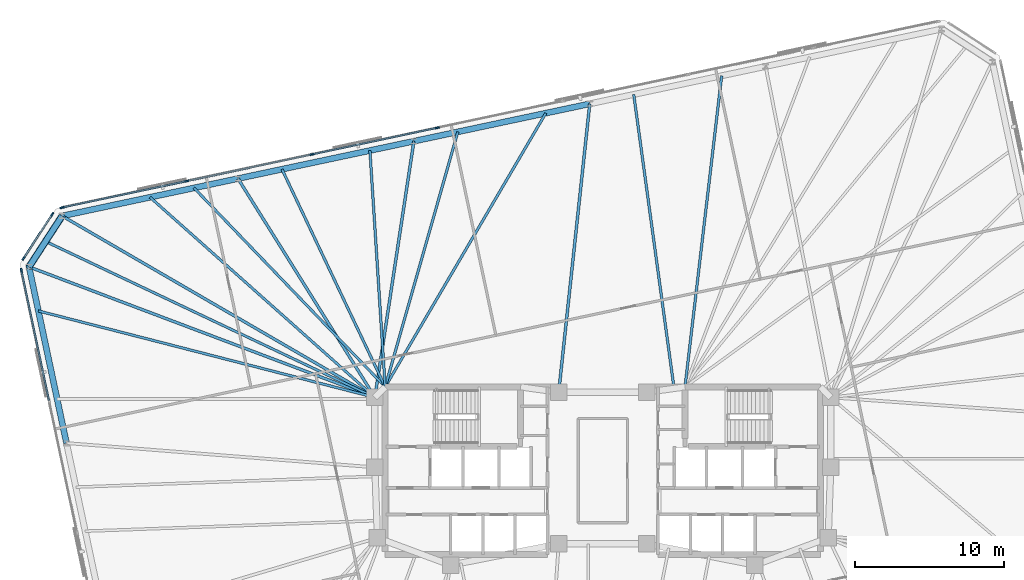
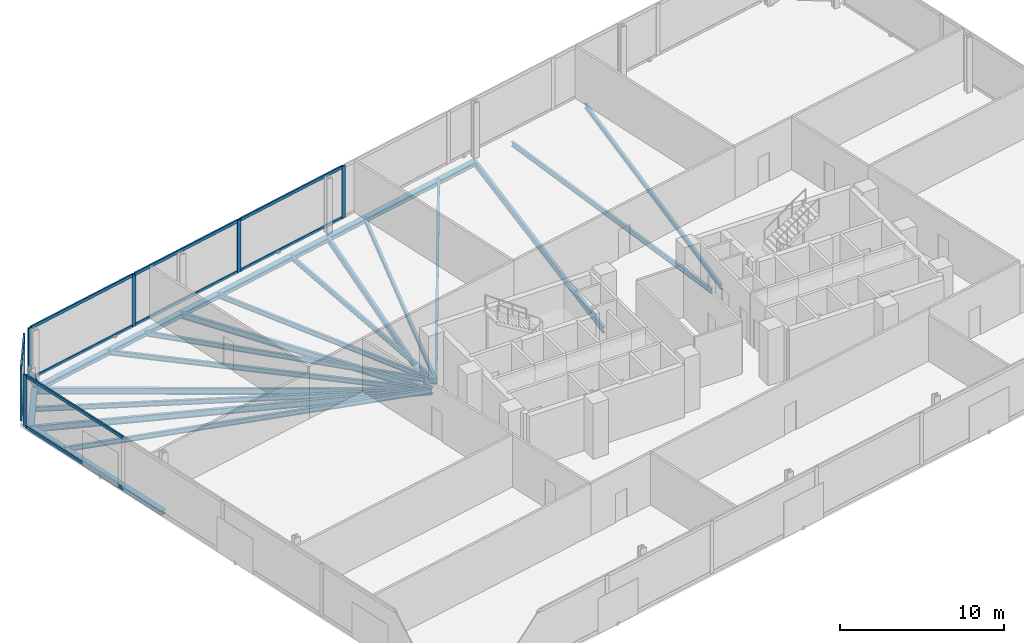
# One storey, part 8 of 15: 20 beams, 18 members, 3 elements without a shape of their own.
"""IFC4 building model written with IfcOpenShell, lengths in metres."""

from ifc_helpers import new_model, si_unit, direction, frame, origin, origin_2d, place, context, subcontext, project, spatial, rectangle, hollow_circle, i_section, extrude, material, material_profile, profile_set, type_object, element, aggregate, save


model = new_model("IFC4")

# Units and contexts
model_context = context("Model", 3, precision=1e-05, world=origin(), true_north=direction((0.0, 1.0)))
body_context = subcontext(model_context, "Body", "Model", "MODEL_VIEW")
ifc_project = project(units=[si_unit("LENGTHUNIT", "METRE"), si_unit("AREAUNIT", "SQUARE_METRE"), si_unit("VOLUMEUNIT", "CUBIC_METRE"), si_unit("PLANEANGLEUNIT", "RADIAN"), si_unit("MASSUNIT", "GRAM", prefix="KILO")], contexts=[model_context])

# Site, building, storey
site_placement = place(None, origin())
site = spatial("IfcSite", under=ifc_project, at=site_placement, CompositionType="ELEMENT")
building_placement = place(site_placement, origin())
building = spatial("IfcBuilding", under=site, at=building_placement, Name="Menara Jurai Vektor", CompositionType="ELEMENT")
storey_placement = place(building_placement, frame((0.0, 0.0, 147.300048828125)))
storey = spatial("IfcBuildingStorey", under=building, at=storey_placement, Name="L37", CompositionType="ELEMENT", Elevation=147.300048828125)

# Curtain wall, members
ifc_material_1 = material(Name="Anodised Pale Aluminium & Low-E Double Glazing", Category="aluminium")
curtain_wall_type = type_object("IfcCurtainWallType", Name="CW-SKY", PredefinedType="NOTDEFINED", material=ifc_material_1)
curtain_wall_1_placement = place(storey_placement, origin())
curtain_wall_1 = element("IfcCurtainWall", 1, at=curtain_wall_1_placement, inside=storey, type_object=curtain_wall_type, Name="Unitised Curtain Wall L37 F05", PredefinedType="NOTDEFINED")
ifc_material_2 = material(Name="Anodised Pale Aluminium Mullion", Category="aluminium")
ifc_material_profile_1 = material_profile(ifc_material_2, rectangle(XDim=0.110107421875, YDim=0.280029296875, at=origin_2d()), Name="ALU MUL 110x280")
ifc_profile_set_1 = profile_set([ifc_material_profile_1], Name="Anodised Pale Aluminium Mullion")
member_type_1 = type_object("IfcMemberType", Name="CW-SKY-MUL", PredefinedType="MULLION", material=ifc_profile_set_1)
member_1_placement = place(storey_placement, frame((-11.06494140625, 22.9384765625, 0.0), z_axis=(0.0, 0.0, 1.0), x_axis=(0.207911344156, -0.978147674419, 0.0)))
member_1 = element("IfcMember", 2, at=member_1_placement, type_object=member_type_1, Name="CW-06 mullion 5", PredefinedType="MULLION", context=body_context, shape_type="SweptSolid", body=[
    extrude(rectangle(XDim=0.110107421875, YDim=0.280029296875, at=origin_2d()), origin(), (0.0, 0.0, 1.0), 3.875),
])
member_2_placement = place(storey_placement, frame((-19.45458984375, 21.1552734375, 0.0), z_axis=(0.0, 0.0, 1.0), x_axis=(0.207911344156, -0.978147674419, 0.0)))
member_2 = element("IfcMember", 3, at=member_2_placement, type_object=member_type_1, Name="CW-06 mullion 6", PredefinedType="MULLION", context=body_context, shape_type="SweptSolid", body=[
    extrude(rectangle(XDim=0.110107421875, YDim=0.280029296875, at=origin_2d()), origin(), (0.0, 0.0, 1.0), 3.875),
])
member_3_placement = place(storey_placement, frame((-27.844482421875, 19.3720703125, 0.0), z_axis=(0.0, 0.0, 1.0), x_axis=(0.207911344156, -0.978147674419, 0.0)))
member_3 = element("IfcMember", 4, at=member_3_placement, type_object=member_type_1, Name="CW-06 mullion 7", PredefinedType="MULLION", context=body_context, shape_type="SweptSolid", body=[
    extrude(rectangle(XDim=0.110107421875, YDim=0.280029296875, at=origin_2d()), origin(), (0.0, 0.0, 1.0), 3.875),
])
member_4_placement = place(storey_placement, frame((-36.180419921875, 17.60009765625, 0.0), z_axis=(0.0, 0.0, 1.0), x_axis=(0.207911344156, -0.978147674419, 0.0)))
member_4 = element("IfcMember", 5, at=member_4_placement, type_object=member_type_1, Name="CW-06 mullion 8", PredefinedType="MULLION", context=body_context, shape_type="SweptSolid", body=[
    extrude(rectangle(XDim=0.110107421875, YDim=0.280029296875, at=origin_2d()), origin(), (0.0, 0.0, 1.0), 3.875),
])

curtain_wall_2_placement = place(storey_placement, origin())
curtain_wall_2 = element("IfcCurtainWall", 6, at=curtain_wall_2_placement, inside=storey, type_object=curtain_wall_type, Name="Unitised Curtain Wall L37 F06", PredefinedType="NOTDEFINED")
member_5_placement = place(storey_placement, frame((-36.8427734375, 17.144775390625, 0.0), z_axis=(0.0, 0.0, 1.0), x_axis=(0.838684361415, -0.544617794346, 0.0)))
member_5 = element("IfcMember", 7, at=member_5_placement, type_object=member_type_1, Name="CW-06 mullion 1", PredefinedType="MULLION", context=body_context, shape_type="SweptSolid", body=[
    extrude(rectangle(XDim=0.110107421875, YDim=0.280029296875, at=origin_2d()), origin(), (0.0, 0.0, 1.0), 3.875),
])
member_6_placement = place(storey_placement, frame((-38.756591796875, 14.19775390625, 0.0), z_axis=(0.0, 0.0, 1.0), x_axis=(0.838684361415, -0.544617794346, 0.0)))
member_6 = element("IfcMember", 8, at=member_6_placement, type_object=member_type_1, Name="CW-06 mullion 2", PredefinedType="MULLION", context=body_context, shape_type="SweptSolid", body=[
    extrude(rectangle(XDim=0.110107421875, YDim=0.280029296875, at=origin_2d()), origin(), (0.0, 0.0, 1.0), 3.875),
])

# Curtain wall, member
curtain_wall_3_placement = place(storey_placement, origin())
curtain_wall_3 = element("IfcCurtainWall", 9, at=curtain_wall_3_placement, inside=storey, type_object=curtain_wall_type, Name="Unitised Curtain Wall L37 F07", PredefinedType="NOTDEFINED")
member_7_placement = place(storey_placement, frame((-38.903076171875, 13.407470703125, 0.0), z_axis=(0.0, 0.0, 1.0), x_axis=(0.978147883949, 0.20791035839, 0.0)))
member_7 = element("IfcMember", 10, at=member_7_placement, type_object=member_type_1, Name="CW-06 mullion 1", PredefinedType="MULLION", context=body_context, shape_type="SweptSolid", body=[
    extrude(rectangle(XDim=0.110107421875, YDim=0.280029296875, at=origin_2d()), origin(), (0.0, 0.0, 1.0), 3.875),
])

# Member
ifc_material_3 = material(Name="Anodised Pale Aluminium Transom", Category="aluminium")
ifc_material_profile_2 = material_profile(ifc_material_3, rectangle(XDim=0.110107421875, YDim=0.219970703125, at=origin_2d()), Name="ALU TRN 110x220")
ifc_profile_set_2 = profile_set([ifc_material_profile_2], Name="Anodised Pale Aluminium Transom")
member_type_2 = type_object("IfcMemberType", Name="CW-SKY-TRN", PredefinedType="USERDEFINED", material=ifc_profile_set_2)
member_8_placement = place(storey_placement, frame((-11.11865234375, 22.927001953125, 0.054931640625), z_axis=(-0.978152108618, -0.207890481757, 0.0), x_axis=(0.207890481757, -0.978152108618, 0.0)))
member_8 = element("IfcMember", 11, at=member_8_placement, type_object=member_type_2, Name="CW-06 transom 5.1", ObjectType="TRANSOM", PredefinedType="USERDEFINED", context=body_context, shape_type="SweptSolid", body=[
    extrude(rectangle(XDim=0.110107421875, YDim=0.219970703125, at=origin_2d()), origin(), (0.0, 0.0, 1.0), 8.46728515625),
])

member_9_placement = place(storey_placement, frame((-11.11865234375, 22.927001953125, 3.820068359375), z_axis=(-0.978152108618, -0.207890481757, 0.0), x_axis=(0.207890481757, -0.978152108618, 0.0)))
member_9 = element("IfcMember", 12, at=member_9_placement, type_object=member_type_2, Name="CW-06 transom 5.2", ObjectType="TRANSOM", PredefinedType="USERDEFINED", context=body_context, shape_type="SweptSolid", body=[
    extrude(rectangle(XDim=0.110107421875, YDim=0.219970703125, at=origin_2d()), origin(), (0.0, 0.0, 1.0), 8.46728515625),
])

member_10_placement = place(storey_placement, frame((-19.508544921875, 21.143798828125, 0.054931640625), z_axis=(-0.978144998468, -0.207923933141, 0.0), x_axis=(0.207923933141, -0.978144998468, 0.0)))
member_10 = element("IfcMember", 13, at=member_10_placement, type_object=member_type_2, Name="CW-06 transom 6.1", ObjectType="TRANSOM", PredefinedType="USERDEFINED", context=body_context, shape_type="SweptSolid", body=[
    extrude(rectangle(XDim=0.110107421875, YDim=0.219970703125, at=origin_2d()), origin(), (0.0, 0.0, 1.0), 8.467041015625),
])

member_11_placement = place(storey_placement, frame((-19.508544921875, 21.143798828125, 3.820068359375), z_axis=(-0.978144998468, -0.207923933141, 0.0), x_axis=(0.207923933141, -0.978144998468, 0.0)))
member_11 = element("IfcMember", 14, at=member_11_placement, type_object=member_type_2, Name="CW-06 transom 6.2", ObjectType="TRANSOM", PredefinedType="USERDEFINED", context=body_context, shape_type="SweptSolid", body=[
    extrude(rectangle(XDim=0.110107421875, YDim=0.219970703125, at=origin_2d()), origin(), (0.0, 0.0, 1.0), 8.467041015625),
])

member_12_placement = place(storey_placement, frame((-27.898193359375, 19.360595703125, 0.054931640625), z_axis=(-0.978146383658, -0.207917416625, 0.0), x_axis=(0.207917416625, -0.978146383658, 0.0)))
member_12 = element("IfcMember", 15, at=member_12_placement, type_object=member_type_2, Name="CW-06 transom 7.1", ObjectType="TRANSOM", PredefinedType="USERDEFINED", context=body_context, shape_type="SweptSolid", body=[
    extrude(rectangle(XDim=0.110107421875, YDim=0.219970703125, at=origin_2d()), origin(), (0.0, 0.0, 1.0), 8.412109375),
])

member_13_placement = place(storey_placement, frame((-27.898193359375, 19.360595703125, 3.820068359375), z_axis=(-0.978146383658, -0.207917416625, 0.0), x_axis=(0.207917416625, -0.978146383658, 0.0)))
member_13 = element("IfcMember", 16, at=member_13_placement, type_object=member_type_2, Name="CW-06 transom 7.2", ObjectType="TRANSOM", PredefinedType="USERDEFINED", context=body_context, shape_type="SweptSolid", body=[
    extrude(rectangle(XDim=0.110107421875, YDim=0.219970703125, at=origin_2d()), origin(), (0.0, 0.0, 1.0), 8.412109375),
])

aggregate(curtain_wall_1, [member_1, member_2, member_3, member_4, member_8, member_9, member_10, member_11, member_12, member_13])

member_14_placement = place(storey_placement, frame((-36.872802734375, 17.0986328125, 0.054931640625), z_axis=(-0.544612650284, -0.8386877018, 0.0), x_axis=(0.8386877018, -0.544612650284, 0.0)))
member_14 = element("IfcMember", 17, at=member_14_placement, type_object=member_type_2, Name="CW-06 transom 1.1", ObjectType="TRANSOM", PredefinedType="USERDEFINED", context=body_context, shape_type="SweptSolid", body=[
    extrude(rectangle(XDim=0.110107421875, YDim=0.219970703125, at=origin_2d()), origin(), (0.0, 0.0, 1.0), 3.40380859375),
])

member_15_placement = place(storey_placement, frame((-36.872802734375, 17.0986328125, 3.820068359375), z_axis=(-0.544612650284, -0.8386877018, 0.0), x_axis=(0.8386877018, -0.544612650284, 0.0)))
member_15 = element("IfcMember", 18, at=member_15_placement, type_object=member_type_2, Name="CW-06 transom 1.2", ObjectType="TRANSOM", PredefinedType="USERDEFINED", context=body_context, shape_type="SweptSolid", body=[
    extrude(rectangle(XDim=0.110107421875, YDim=0.219970703125, at=origin_2d()), origin(), (0.0, 0.0, 1.0), 3.40380859375),
])

aggregate(curtain_wall_2, [member_5, member_6, member_14, member_15])

member_16_placement = place(storey_placement, frame((-38.8916015625, 13.353515625, 0.054931640625), z_axis=(0.207902001866, -0.978149660134, 0.0), x_axis=(0.978149660134, 0.207902001866, 0.0)))
member_16 = element("IfcMember", 19, at=member_16_placement, type_object=member_type_2, Name="CW-06 transom 1.1", ObjectType="TRANSOM", PredefinedType="USERDEFINED", context=body_context, shape_type="SweptSolid", body=[
    extrude(rectangle(XDim=0.110107421875, YDim=0.219970703125, at=origin_2d()), origin(), (0.0, 0.0, 1.0), 8.844970703125),
])

member_17_placement = place(storey_placement, frame((-38.8916015625, 13.353515625, 3.820068359375), z_axis=(0.207902001866, -0.978149660134, 0.0), x_axis=(0.978149660134, 0.207902001866, 0.0)))
member_17 = element("IfcMember", 20, at=member_17_placement, type_object=member_type_2, Name="CW-06 transom 1.2", ObjectType="TRANSOM", PredefinedType="USERDEFINED", context=body_context, shape_type="SweptSolid", body=[
    extrude(rectangle(XDim=0.110107421875, YDim=0.219970703125, at=origin_2d()), origin(), (0.0, 0.0, 1.0), 8.844970703125),
])

aggregate(curtain_wall_3, [member_7, member_16, member_17])

# Beams
ifc_material_4 = material(Name="Steel S355", Category="steel")
ifc_material_profile_3 = material_profile(ifc_material_4, i_section(OverallWidth=0.19091796875, OverallDepth=0.4599609375, WebThickness=0.010009765625, FlangeThickness=0.01611328125, FilletRadius=0.010009765625, at=origin_2d()), Name="UKB 457x191x82")
ifc_profile_set_3 = profile_set([ifc_material_profile_3], Name="Steel S355")
beam_type_1 = type_object("IfcBeamType", Name="STR-BM-457", PredefinedType="BEAM", material=ifc_profile_set_3)
beam_1_placement = place(storey_placement, frame((-0.87158203125, 24.54296875, -0.47998046875), z_axis=(-0.107107067506, -0.994247492373, 0.0), x_axis=(0.994247492373, -0.107107067506, 0.0)))
element("IfcBeam", 21, at=beam_1_placement, inside=storey, type_object=beam_type_1, Name="Radial Floor Girder L37-N3", PredefinedType="BEAM", context=body_context, shape_type="SweptSolid", body=[
    extrude(i_section(OverallWidth=0.19091796875, OverallDepth=0.4599609375, WebThickness=0.010009765625, FlangeThickness=0.01611328125, FilletRadius=0.010009765625, at=origin_2d()), origin(), (0.0, 0.0, 1.0), 19.404541015625),
])
beam_2_placement = place(storey_placement, frame((-12.639892578125, 22.04150390625, -0.47998046875), z_axis=(-0.150532344322, -0.988605084608, 0.0), x_axis=(0.988605084608, -0.150532344322, 0.0)))
element("IfcBeam", 22, at=beam_2_placement, inside=storey, type_object=beam_type_1, Name="Radial Floor Girder L37-N4", PredefinedType="BEAM", context=body_context, shape_type="SweptSolid", body=[
    extrude(i_section(OverallWidth=0.19091796875, OverallDepth=0.4599609375, WebThickness=0.010009765625, FlangeThickness=0.01611328125, FilletRadius=0.010009765625, at=origin_2d()), origin(), (0.0, 0.0, 1.0), 17.339111328125),
])
beam_3_placement = place(storey_placement, frame((-24.408203125, 19.5400390625, -0.47998046875), z_axis=(0.53033693414, -0.847786963976, 0.0), x_axis=(0.847786963976, 0.53033693414, 0.0)))
element("IfcBeam", 23, at=beam_3_placement, inside=storey, type_object=beam_type_1, Name="Radial Floor Girder L37-N5", PredefinedType="BEAM", context=body_context, shape_type="SweptSolid", body=[
    extrude(i_section(OverallWidth=0.19091796875, OverallDepth=0.4599609375, WebThickness=0.010009765625, FlangeThickness=0.01611328125, FilletRadius=0.010009765625, at=origin_2d()), origin(), (0.0, 0.0, 1.0), 17.2685546875),
])
beam_4_placement = place(storey_placement, frame((-36.17626953125, 17.038818359375, -0.47998046875), z_axis=(0.86500105453, -0.50177004261, 0.0), x_axis=(0.50177004261, 0.86500105453, 0.0)))
element("IfcBeam", 24, at=beam_4_placement, inside=storey, type_object=beam_type_1, Name="Radial Floor Girder L37-N6", PredefinedType="BEAM", context=body_context, shape_type="SweptSolid", body=[
    extrude(i_section(OverallWidth=0.19091796875, OverallDepth=0.4599609375, WebThickness=0.010009765625, FlangeThickness=0.01611328125, FilletRadius=0.010009765625, at=origin_2d()), origin(), (0.0, 0.0, 1.0), 24.192138671875),
])
beam_5_placement = place(storey_placement, frame((-38.388671875, 13.632080078125, -0.47998046875), z_axis=(0.935593658977, -0.353078610626, 0.0), x_axis=(0.353078610626, 0.935593658977, 0.0)))
element("IfcBeam", 25, at=beam_5_placement, inside=storey, type_object=beam_type_1, Name="Radial Floor Girder L37-W1", PredefinedType="BEAM", context=body_context, shape_type="SweptSolid", body=[
    extrude(i_section(OverallWidth=0.19091796875, OverallDepth=0.4599609375, WebThickness=0.010009765625, FlangeThickness=0.01611328125, FilletRadius=0.010009765625, at=origin_2d()), origin(), (0.0, 0.0, 1.0), 24.7314453125),
])
ifc_material_5 = material(Name="Steel S460", Category="steel")
ifc_material_profile_4 = material_profile(ifc_material_5, i_section(OverallWidth=0.39697265625, OverallDepth=0.31591796875, WebThickness=0.030029296875, FlangeThickness=0.048095703125, FilletRadius=0.014892578125, at=origin_2d()), Name="HD 400x382")
ifc_profile_set_4 = profile_set([ifc_material_profile_4], Name="Steel S460")
beam_type_2 = type_object("IfcBeamType", Name="STR-BM-CHORD382", PredefinedType="SPANDREL", material=ifc_profile_set_4)
for number, where, z_axis, x_axis, name in (
    (26, (-0.87158203125, 24.54296875, -0.407958984375), (-0.978147039247, -0.207914332389, 0.0), (0.207914332389, -0.978147039247, 0.0), "Exoskeleton Spandrel Beam L37-13"),
    (27, (-12.639892578125, 22.04150390625, -0.407958984375), (-0.978147039247, -0.207914332389, 0.0), (0.207914332389, -0.978147039247, 0.0), "Exoskeleton Spandrel Beam L37-14"),
):
    element("IfcBeam", number, at=place(storey_placement, frame(where, z_axis=z_axis, x_axis=x_axis)), inside=storey, type_object=beam_type_2, Name=name, PredefinedType="SPANDREL", context=body_context, shape_type="SweptSolid", body=[
        extrude(i_section(OverallWidth=0.39697265625, OverallDepth=0.31591796875, WebThickness=0.030029296875, FlangeThickness=0.048095703125, FilletRadius=0.014892578125, at=origin_2d()), origin(), (0.0, 0.0, 1.0), 12.03125),
    ])
beam_6_placement = place(storey_placement, frame((-24.408203125, 19.5400390625, -0.407958984375), z_axis=(-0.978150288855, -0.207899043801, 0.0), x_axis=(0.207899043801, -0.978150288855, 0.0)))
element("IfcBeam", 28, at=beam_6_placement, inside=storey, type_object=beam_type_2, Name="Exoskeleton Spandrel Beam L37-15", PredefinedType="SPANDREL", context=body_context, shape_type="SweptSolid", body=[
    extrude(i_section(OverallWidth=0.39697265625, OverallDepth=0.31591796875, WebThickness=0.030029296875, FlangeThickness=0.048095703125, FilletRadius=0.014892578125, at=origin_2d()), origin(), (0.0, 0.0, 1.0), 12.031005859375),
])
beam_7_placement = place(storey_placement, frame((-36.17626953125, 17.038818359375, -0.407958984375), z_axis=(-0.544646071268, -0.838665998507, 0.0), x_axis=(0.838665998507, -0.544646071268, 0.0)))
element("IfcBeam", 29, at=beam_7_placement, inside=storey, type_object=beam_type_2, Name="Exoskeleton Spandrel Beam L37-16", PredefinedType="SPANDREL", context=body_context, shape_type="SweptSolid", body=[
    extrude(i_section(OverallWidth=0.39697265625, OverallDepth=0.31591796875, WebThickness=0.030029296875, FlangeThickness=0.048095703125, FilletRadius=0.014892578125, at=origin_2d()), origin(), (0.0, 0.0, 1.0), 4.06201171875),
])
beam_8_placement = place(storey_placement, frame((-38.388671875, 13.632080078125, -0.407958984375), z_axis=(0.207921262698, -0.978145566119, 0.0), x_axis=(0.978145566119, 0.207921262698, 0.0)))
element("IfcBeam", 30, at=beam_8_placement, inside=storey, type_object=beam_type_2, Name="Exoskeleton Spandrel Beam L37-17", PredefinedType="SPANDREL", context=body_context, shape_type="SweptSolid", body=[
    extrude(i_section(OverallWidth=0.39697265625, OverallDepth=0.31591796875, WebThickness=0.030029296875, FlangeThickness=0.048095703125, FilletRadius=0.014892578125, at=origin_2d()), origin(), (0.0, 0.0, 1.0), 12.052001953125),
])

# Member
ifc_material_profile_5 = material_profile(ifc_material_5, hollow_circle(Radius=0.228515625, WallThickness=0.01611328125, at=origin_2d()), Name="CHS 457x16")
ifc_profile_set_5 = profile_set([ifc_material_profile_5], Name="Steel S460")
member_type_3 = type_object("IfcMemberType", Name="STR-BR-457", PredefinedType="BRACE", material=ifc_profile_set_5)
member_18_placement = place(storey_placement, frame((-36.17626953125, 17.03857421875, 0.14990234375), z_axis=(-0.418931816664, -0.645040348479, 0.639076741731), x_axis=(0.838648168484, -0.544673525608, 0.0)))
element("IfcMember", 31, at=member_18_placement, inside=storey, type_object=member_type_3, Name="Exoskeleton Corner Brace L37-3", PredefinedType="BRACE", context=body_context, shape_type="SweptSolid", body=[
    extrude(hollow_circle(Radius=0.228515625, WallThickness=0.01611328125, at=origin_2d()), origin(), (0.0, 0.0, 1.0), 5.281005859375),
])

# Beams
ifc_material_profile_6 = material_profile(ifc_material_4, i_section(OverallWidth=0.172119140625, OverallDepth=0.35498046875, WebThickness=0.007080078125, FlangeThickness=0.011962890625, FilletRadius=0.010009765625, at=origin_2d()), Name="UKB 356x171x51")
ifc_profile_set_6 = profile_set([ifc_material_profile_6], Name="Steel S355")
beam_type_3 = type_object("IfcBeamType", Name="STR-JS-356", PredefinedType="JOIST", material=ifc_profile_set_6)
beam_9_placement = place(storey_placement, frame((7.95458984375, 26.4189453125, -0.427490234375), z_axis=(-0.117091260338, -0.99312115915, 0.0), x_axis=(0.99312115915, -0.117091260338, 0.0)))
element("IfcBeam", 32, at=beam_9_placement, inside=storey, type_object=beam_type_3, Name="Radial Secondary Floor Joist L37-JS20", PredefinedType="JOIST", context=body_context, shape_type="SweptSolid", body=[
    extrude(i_section(OverallWidth=0.172119140625, OverallDepth=0.35498046875, WebThickness=0.007080078125, FlangeThickness=0.011962890625, FilletRadius=0.010009765625, at=origin_2d()), origin(), (0.0, 0.0, 1.0), 20.963134765625),
])
beam_10_placement = place(storey_placement, frame((2.0703125, 25.168212890625, -0.427490234375), z_axis=(0.135985700778, -0.990710799973, 0.0), x_axis=(0.990710799973, 0.135985700778, 0.0)))
element("IfcBeam", 33, at=beam_10_placement, inside=storey, type_object=beam_type_3, Name="Radial Secondary Floor Joist L37-JS21", PredefinedType="JOIST", context=body_context, shape_type="SweptSolid", body=[
    extrude(i_section(OverallWidth=0.172119140625, OverallDepth=0.35498046875, WebThickness=0.007080078125, FlangeThickness=0.011962890625, FilletRadius=0.010009765625, at=origin_2d()), origin(), (0.0, 0.0, 1.0), 19.852783203125),
])
beam_11_placement = place(storey_placement, frame((-3.813720703125, 23.91748046875, -0.427490234375), z_axis=(-0.506019514775, -0.862522029091, 0.0), x_axis=(0.862522029091, -0.506019514775, 0.0)))
element("IfcBeam", 34, at=beam_11_placement, inside=storey, type_object=beam_type_3, Name="Radial Secondary Floor Joist L37-JS22", PredefinedType="JOIST", context=body_context, shape_type="SweptSolid", body=[
    extrude(i_section(OverallWidth=0.172119140625, OverallDepth=0.35498046875, WebThickness=0.007080078125, FlangeThickness=0.011962890625, FilletRadius=0.010009765625, at=origin_2d()), origin(), (0.0, 0.0, 1.0), 21.237060546875),
])
beam_12_placement = place(storey_placement, frame((-9.69775390625, 22.666748046875, -0.427490234375), z_axis=(-0.273997863708, -0.961730300387, 0.0), x_axis=(0.961730300387, -0.273997863708, 0.0)))
element("IfcBeam", 35, at=beam_12_placement, inside=storey, type_object=beam_type_3, Name="Radial Secondary Floor Joist L37-JS23", PredefinedType="JOIST", context=body_context, shape_type="SweptSolid", body=[
    extrude(i_section(OverallWidth=0.172119140625, OverallDepth=0.35498046875, WebThickness=0.007080078125, FlangeThickness=0.011962890625, FilletRadius=0.010009765625, at=origin_2d()), origin(), (0.0, 0.0, 1.0), 17.745849609375),
])
beam_13_placement = place(storey_placement, frame((-15.581787109375, 21.416015625, -0.427490234375), z_axis=(0.064466897528, -0.997919846041, 0.0), x_axis=(0.997919846041, 0.064466897528, 0.0)))
element("IfcBeam", 36, at=beam_13_placement, inside=storey, type_object=beam_type_3, Name="Radial Secondary Floor Joist L37-JS24", PredefinedType="JOIST", context=body_context, shape_type="SweptSolid", body=[
    extrude(i_section(OverallWidth=0.172119140625, OverallDepth=0.35498046875, WebThickness=0.007080078125, FlangeThickness=0.011962890625, FilletRadius=0.010009765625, at=origin_2d()), origin(), (0.0, 0.0, 1.0), 15.848876953125),
])
beam_14_placement = place(storey_placement, frame((-21.466064453125, 20.165283203125, -0.427490234375), z_axis=(0.428426167333, -0.903576792057, 0.0), x_axis=(0.903576792057, 0.428426167333, 0.0)))
element("IfcBeam", 37, at=beam_14_placement, inside=storey, type_object=beam_type_3, Name="Radial Secondary Floor Joist L37-JS25", PredefinedType="JOIST", context=body_context, shape_type="SweptSolid", body=[
    extrude(i_section(OverallWidth=0.172119140625, OverallDepth=0.35498046875, WebThickness=0.007080078125, FlangeThickness=0.011962890625, FilletRadius=0.010009765625, at=origin_2d()), origin(), (0.0, 0.0, 1.0), 16.119384765625),
])
beam_15_placement = place(storey_placement, frame((-27.35009765625, 18.914794921875, -0.427490234375), z_axis=(0.692755307066, -0.721172714772, 0.0), x_axis=(0.721172714772, 0.692755307066, 0.0)))
element("IfcBeam", 38, at=beam_15_placement, inside=storey, type_object=beam_type_3, Name="Radial Secondary Floor Joist L37-JS26", PredefinedType="JOIST", context=body_context, shape_type="SweptSolid", body=[
    extrude(i_section(OverallWidth=0.172119140625, OverallDepth=0.35498046875, WebThickness=0.007080078125, FlangeThickness=0.011962890625, FilletRadius=0.010009765625, at=origin_2d()), origin(), (0.0, 0.0, 1.0), 18.462646484375),
])
beam_16_placement = place(storey_placement, frame((-30.292236328125, 18.289306640625, -0.427490234375), z_axis=(0.746952302948, -0.664877625673, 0.0), x_axis=(0.664877625673, 0.746952302948, 0.0)))
element("IfcBeam", 39, at=beam_16_placement, inside=storey, type_object=beam_type_3, Name="Radial Secondary Floor Joist L37-JS27", PredefinedType="JOIST", context=body_context, shape_type="SweptSolid", body=[
    extrude(i_section(OverallWidth=0.172119140625, OverallDepth=0.35498046875, WebThickness=0.007080078125, FlangeThickness=0.011962890625, FilletRadius=0.010009765625, at=origin_2d()), origin(), (0.0, 0.0, 1.0), 20.13818359375),
])
beam_17_placement = place(storey_placement, frame((-37.282470703125, 15.33544921875, -0.427490234375), z_axis=(0.903751908448, -0.428056641085, 0.0), x_axis=(0.428056641085, 0.903751908448, 0.0)))
element("IfcBeam", 40, at=beam_17_placement, inside=storey, type_object=beam_type_3, Name="Radial Secondary Floor Joist L37-JS28", PredefinedType="JOIST", context=body_context, shape_type="SweptSolid", body=[
    extrude(i_section(OverallWidth=0.172119140625, OverallDepth=0.35498046875, WebThickness=0.007080078125, FlangeThickness=0.011962890625, FilletRadius=0.010009765625, at=origin_2d()), origin(), (0.0, 0.0, 1.0), 24.37890625),
])
beam_18_placement = place(storey_placement, frame((-37.76220703125, 10.68505859375, -0.427490234375), z_axis=(0.968531283953, -0.248891848005, 0.0), x_axis=(0.248891848005, 0.968531283953, 0.0)))
element("IfcBeam", 41, at=beam_18_placement, inside=storey, type_object=beam_type_3, Name="Radial Secondary Floor Joist L37-JS29", PredefinedType="JOIST", context=body_context, shape_type="SweptSolid", body=[
    extrude(i_section(OverallWidth=0.172119140625, OverallDepth=0.35498046875, WebThickness=0.007080078125, FlangeThickness=0.011962890625, FilletRadius=0.010009765625, at=origin_2d()), origin(), (0.0, 0.0, 1.0), 23.24365234375),
])

save(model, "model.ifc")
